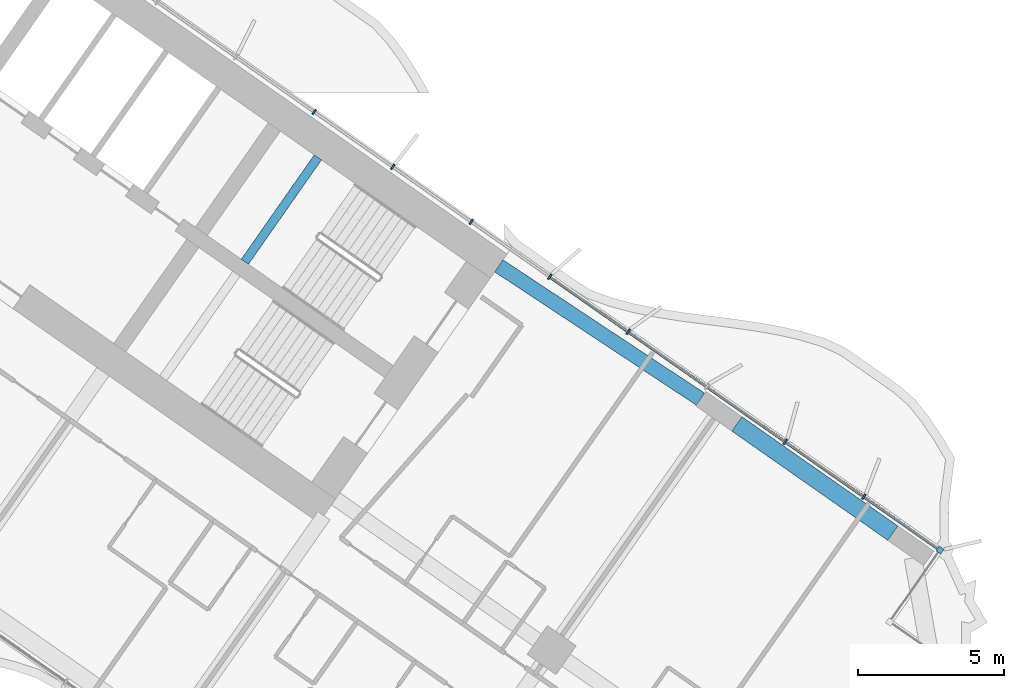
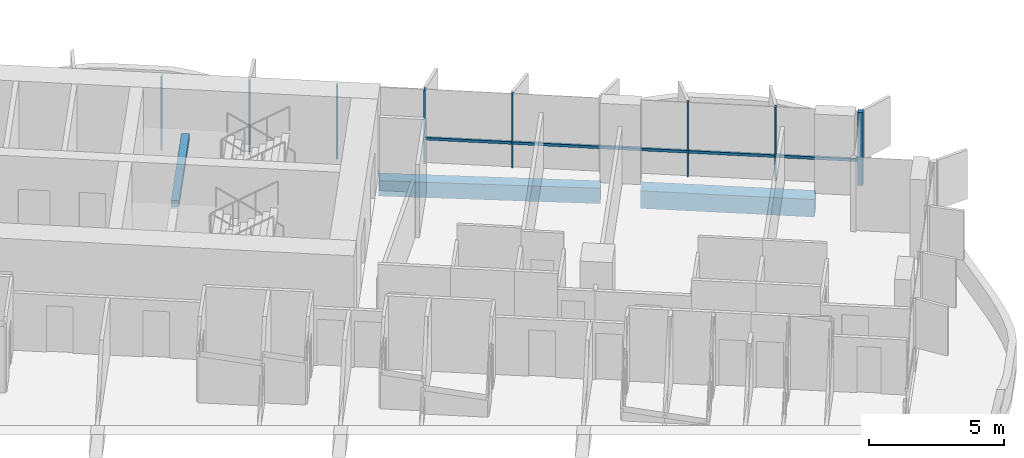
# One storey, part 10 of 25: 9 members, 3 beams, 2 elements without a shape of their own.
"""IFC4 building model written with IfcOpenShell, lengths in metres."""

import ifcopenshell
import ifcopenshell.guid

model = None  # the IFC model being written
_history = None  # IfcOwnerHistory: only IFC2X3 demands one
_inside = {}  # id of a spatial element -> (the spatial element, [elements in it])
_under = {}  # id of a project, library or spatial element -> (it, [spatial elements below it])
_declared = {}  # id of a project -> (the project, [libraries it declares])
_typed = {}  # id of a type object -> (the type object, [elements of that type])
_made_of = {}  # id of a material, layer set ... -> (it, [elements and type objects made of it])


def new_model(schema):
    """Start an empty IFC model of exactly this schema.

    Asked for "IFC4X3", IfcOpenShell would pick the latest addendum, in which some entities
    have other attributes; the version numbers below select the first issue.
    IFC2X3 requires an IfcOwnerHistory on every rooted entity: one is made here for all.
    """
    global model, _history
    if schema == "IFC4X3":
        model = ifcopenshell.file(schema_version=(4, 3, 0, 0))
    else:
        model = ifcopenshell.file(schema=schema)
    _inside.clear()
    _under.clear()
    _declared.clear()
    _typed.clear()
    _made_of.clear()
    _history = None
    if model.schema == "IFC2X3":
        org = make("IfcOrganization", Name="unknown")
        user = make(
            "IfcPersonAndOrganization",
            ThePerson=make("IfcPerson", FamilyName="unknown"),
            TheOrganization=org,
        )
        app = make(
            "IfcApplication",
            ApplicationDeveloper=org,
            Version="unknown",
            ApplicationFullName="unknown",
            ApplicationIdentifier="unknown",
        )
        _history = make(
            "IfcOwnerHistory",
            OwningUser=user,
            OwningApplication=app,
            ChangeAction="ADDED",
            CreationDate=0,
        )
    return model


def make(cls, **values):
    """One entity of the class cls with the attributes given. An attribute that is None is left unset."""
    return model.create_entity(
        cls, **{name: value for name, value in values.items() if value is not None}
    )


def rooted(cls, **values):
    """An entity with a GlobalId (a new one), such as an element, a storey or a relation."""
    return make(cls, GlobalId=ifcopenshell.guid.new(), OwnerHistory=_history, **values)


def si_unit(unit_type, name, prefix=None):
    """IfcSIUnit, for example si_unit("LENGTHUNIT", "METRE", prefix="MILLI")."""
    return make("IfcSIUnit", UnitType=unit_type, Prefix=prefix, Name=name)


def assignment(units):
    """IfcUnitAssignment: the units of a project."""
    return None if units is None else make("IfcUnitAssignment", Units=units)


def point(xyz):
    """IfcCartesianPoint."""
    return None if xyz is None else make("IfcCartesianPoint", Coordinates=xyz)


def direction(xyz):
    """IfcDirection."""
    return None if xyz is None else make("IfcDirection", DirectionRatios=xyz)


def frame(location, z_axis=None, x_axis=None):
    """IfcAxis2Placement3D, a coordinate frame: its origin and axes. An axis left out is left unset."""
    return make(
        "IfcAxis2Placement3D",
        Location=point(location),
        Axis=direction(z_axis),
        RefDirection=direction(x_axis),
    )


def frame_2d(location, x_axis=None):
    """IfcAxis2Placement2D, a coordinate frame in the plane: its origin and x axis."""
    return make(
        "IfcAxis2Placement2D", Location=point(location), RefDirection=direction(x_axis)
    )


def origin():
    """The frame at (0, 0, 0) with its axes left unset."""
    return frame((0.0, 0.0, 0.0))


def origin_2d():
    """The frame at (0, 0) in the plane with its x axis left unset."""
    return frame_2d((0.0, 0.0))


def place(relative_to, where):
    """IfcLocalPlacement: puts the frame where relative to a parent placement (None: the world)."""
    return make(
        "IfcLocalPlacement", PlacementRelTo=relative_to, RelativePlacement=where
    )


def context(
    kind, dimensions, precision=None, world=None, true_north=None, identifier=None
):
    """IfcGeometricRepresentationContext, for example the 3D "Model" context."""
    return make(
        "IfcGeometricRepresentationContext",
        ContextIdentifier=identifier,
        ContextType=kind,
        CoordinateSpaceDimension=dimensions,
        Precision=precision,
        WorldCoordinateSystem=world,
        TrueNorth=true_north,
    )


def subcontext(parent, identifier, kind, view, scale=None):
    """IfcGeometricRepresentationSubContext, for example "Body" below "Model"."""
    return make(
        "IfcGeometricRepresentationSubContext",
        ContextIdentifier=identifier,
        ContextType=kind,
        ParentContext=parent,
        TargetScale=scale,
        TargetView=view,
    )


def project(units=None, contexts=None):
    """IfcProject with its units and contexts."""
    return rooted(
        "IfcProject",
        Name="project",
        RepresentationContexts=contexts,
        UnitsInContext=assignment(units),
    )


def spatial(cls, under=None, at=None, **own):
    """A site, building, storey or space (cls), placed at a placement, below another one or the project."""
    s = rooted(cls, ObjectPlacement=at, **own)
    if under is not None:
        _under.setdefault(under.id(), (under, []))[1].append(s)
    return s


def profile(cls, at=None, kind="AREA", **sizes):
    """A parametric profile (cls). Its sizes go by their IFC names, for example OverallWidth=200.0."""
    return make(cls, ProfileType=kind, Position=at, **sizes)


def rectangle(**sizes):
    """IfcRectangleProfileDef."""
    return profile("IfcRectangleProfileDef", **sizes)


def extrude(swept, where, along, depth):
    """IfcExtrudedAreaSolid: the profile swept, set in the frame where, extruded along a direction by depth."""
    return make(
        "IfcExtrudedAreaSolid",
        SweptArea=swept,
        Position=where,
        ExtrudedDirection=direction(along),
        Depth=depth,
    )


def shape(context_of_items, identifier, shape_type, items):
    """IfcShapeRepresentation: the items that make up one representation, for example the "Body"."""
    return make(
        "IfcShapeRepresentation",
        ContextOfItems=context_of_items,
        RepresentationIdentifier=identifier,
        RepresentationType=shape_type,
        Items=items,
    )


def material(Name=None, Category=None):
    """IfcMaterial."""
    return make("IfcMaterial", Name=Name, Category=Category)


def material_profile(
    of_material, cross_section, Name=None, Category=None, Priority=None
):
    """IfcMaterialProfile: a cross section and its material."""
    return make(
        "IfcMaterialProfile",
        Name=Name,
        Material=of_material,
        Profile=cross_section,
        Priority=Priority,
        Category=Category,
    )


def profile_set(profiles, Name=None, composite=None):
    """IfcMaterialProfileSet."""
    return make(
        "IfcMaterialProfileSet",
        Name=Name,
        MaterialProfiles=profiles,
        CompositeProfile=composite,
    )


def made_of(thing, what):
    """Note that an element or type object is made of a material, layer set ...; save() writes the relation."""
    if what is not None:
        _made_of.setdefault(what.id(), (what, []))[1].append(thing)
    return thing


def type_object(cls, material=None, **own):
    """A type object (cls), such as IfcWallType, which elements share."""
    return made_of(rooted(cls, **own), material)


def element(
    cls,
    number,
    at=None,
    inside=None,
    cuts=None,
    type_object=None,
    material=None,
    context=None,
    identifier="Body",
    shape_type=None,
    held_by="IfcProductDefinitionShape",
    body=None,
    shapes=None,
    **own,
):
    """One element of the class cls, such as IfcWall. Its Tag is "e" and its number.

    at: its placement. inside: the storey or other place that contains it. cuts: it is an
    opening in that element (IfcRelVoidsElement). A single representation is given by context,
    identifier, shape_type and body (its items); several are given by shapes. held_by: the class
    of the entity that holds the representations. save() writes the other relations.
    """
    e = rooted(cls, Tag="e%d" % number, ObjectPlacement=at, **own)
    if body is not None:
        shapes = [shape(context, identifier, shape_type, body)]
    if shapes is not None:
        e.Representation = make(held_by, Representations=shapes)
    if inside is not None:
        _inside.setdefault(inside.id(), (inside, []))[1].append(e)
    if cuts is not None:
        rooted(
            "IfcRelVoidsElement", RelatingBuildingElement=cuts, RelatedOpeningElement=e
        )
    if type_object is not None:
        _typed.setdefault(type_object.id(), (type_object, []))[1].append(e)
    return made_of(e, material)


def aggregate(whole, parts):
    """IfcRelAggregates: a whole, such as a stair, and the parts it consists of."""
    return rooted("IfcRelAggregates", RelatingObject=whole, RelatedObjects=parts)


def save(model, path):
    """Write the relations noted so far, then the file.

    IfcRelAggregates (storeys below a building ...), IfcRelContainedInSpatialStructure (elements
    in a storey), IfcRelDefinesByType, IfcRelAssociatesMaterial and IfcRelDeclares: one each for
    every whole, place, type object, material and project.
    """
    for whole, parts in _under.values():
        aggregate(whole, parts)
    for where, things in _inside.values():
        rooted(
            "IfcRelContainedInSpatialStructure",
            RelatedElements=things,
            RelatingStructure=where,
        )
    for kind, things in _typed.values():
        rooted("IfcRelDefinesByType", RelatedObjects=things, RelatingType=kind)
    for what, things in _made_of.values():
        rooted("IfcRelAssociatesMaterial", RelatedObjects=things, RelatingMaterial=what)
    for by, libraries in _declared.values():
        rooted("IfcRelDeclares", RelatingContext=by, RelatedDefinitions=libraries)
    model.write(path)


model = new_model("IFC4")

# Units and contexts
model_context = context("Model", 3, precision=1e-05, world=origin(), true_north=direction((0.0, 1.0)))
body_context = subcontext(model_context, "Body", "Model", "MODEL_VIEW")
ifc_project = project(units=[si_unit("LENGTHUNIT", "METRE"), si_unit("AREAUNIT", "SQUARE_METRE"), si_unit("VOLUMEUNIT", "CUBIC_METRE"), si_unit("PLANEANGLEUNIT", "RADIAN"), si_unit("MASSUNIT", "GRAM", prefix="KILO")], contexts=[model_context])

# Site, building, storey
site_placement = place(None, origin())
site = spatial("IfcSite", under=ifc_project, at=site_placement, CompositionType="ELEMENT")
building_placement = place(site_placement, origin())
building = spatial("IfcBuilding", under=site, at=building_placement, Name="Tel Ilan Convention Tower", CompositionType="ELEMENT")
storey_placement = place(building_placement, frame((0.0, 0.0, 61.699951171875)))
storey = spatial("IfcBuildingStorey", under=building, at=storey_placement, Name="L10", CompositionType="ELEMENT", Elevation=61.699951171875)

# Beams
ifc_material_1 = material(Name="Concrete C40/50", Category="concrete")
ifc_material_profile_1 = material_profile(ifc_material_1, rectangle(XDim=0.5, YDim=0.699951171875, at=origin_2d()), Name="RC 500x700")
ifc_profile_set_1 = profile_set([ifc_material_profile_1], Name="Concrete C40/50")
beam_type_1 = type_object("IfcBeamType", Name="Beam RC 500x700 Concrete C40/50", PredefinedType="BEAM", material=ifc_profile_set_1)
beam_1_placement = place(storey_placement, frame((34.570556640625, -12.08447265625, -0.6298828125), z_axis=(-0.834273603487, 0.551350663847, 0.0), x_axis=(-0.551350663847, -0.834273603487, 0.0)))
element("IfcBeam", 1, at=beam_1_placement, inside=storey, type_object=beam_type_1, Name="L10 beam E-E-B4-core", PredefinedType="BEAM", context=body_context, shape_type="SweptSolid", body=[
    extrude(rectangle(XDim=0.5, YDim=0.699951171875, at=origin_2d()), origin(), (0.0, 0.0, 1.0), 8.2529296875),
])
ifc_material_2 = material(Name="Concrete C40/50", Category="concrete")
ifc_material_profile_2 = material_profile(ifc_material_2, rectangle(XDim=0.60009765625, YDim=0.800048828125, at=origin_2d()), Name="RC 600x800")
ifc_profile_set_2 = profile_set([ifc_material_profile_2], Name="Concrete C40/50")
beam_type_2 = type_object("IfcBeamType", Name="Beam RC 600x800 Concrete C40/50", PredefinedType="BEAM", material=ifc_profile_set_2)
beam_2_placement = place(storey_placement, frame((41.135498046875, -16.656494140625, -0.679931640625), z_axis=(-0.819178980414, 0.573537965655, 0.0), x_axis=(-0.573537965655, -0.819178980414, 0.0)))
element("IfcBeam", 2, at=beam_2_placement, inside=storey, type_object=beam_type_2, Name="L10 beam E-E-BC-E-B4", PredefinedType="BEAM", context=body_context, shape_type="SweptSolid", body=[
    extrude(rectangle(XDim=0.60009765625, YDim=0.800048828125, at=origin_2d()), origin(), (0.0, 0.0, 1.0), 6.5),
])

# Curtain wall, member
ifc_material_3 = material(Name="Aluminium, bronze anodised", Category="aluminium")
curtain_wall_type_1 = type_object("IfcCurtainWallType", Name="CW1 UNITISED CURTAIN WALL, HOTEL TINTED GLASS", PredefinedType="NOTDEFINED", material=ifc_material_3)
curtain_wall_1_placement = place(storey_placement, origin())
curtain_wall_1 = element("IfcCurtainWall", 3, at=curtain_wall_1_placement, inside=storey, type_object=curtain_wall_type_1, Name="Curtain wall CW1-11.02", PredefinedType="NOTDEFINED")
ifc_material_4 = material(Name="Aluminium, bronze anodised", Category="aluminium")
ifc_material_profile_3 = material_profile(ifc_material_4, rectangle(XDim=0.199951171875, YDim=0.199951171875, at=origin_2d()), Name="CW CORNER MULLION 200x200")
ifc_profile_set_3 = profile_set([ifc_material_profile_3], Name="Aluminium, bronze anodised")
member_type_1 = type_object("IfcMemberType", Name="CW CORNER MULLION 200x200", PredefinedType="MULLION", material=ifc_profile_set_3)
member_1_placement = place(storey_placement, frame((42.7451171875, -17.234375, 0.0), z_axis=(0.0, 0.0, 1.0), x_axis=(0.573576436351, 0.819152044289, 0.0)))
member_1 = element("IfcMember", 4, at=member_1_placement, type_object=member_type_1, Name="Corner mullion", PredefinedType="MULLION", context=body_context, shape_type="SweptSolid", body=[
    extrude(rectangle(XDim=0.199951171875, YDim=0.199951171875, at=origin_2d()), origin(), (0.0, 0.0, 1.0), 3.320068359375),
])

# Curtain wall, members
ifc_material_5 = material(Name="Aluminium, bronze anodised", Category="aluminium")
curtain_wall_type_2 = type_object("IfcCurtainWallType", Name="CW2 STICK CURTAIN WALL, SPANDREL PANELS", PredefinedType="NOTDEFINED", material=ifc_material_5)
curtain_wall_2_placement = place(storey_placement, origin())
curtain_wall_2 = element("IfcCurtainWall", 5, at=curtain_wall_2_placement, inside=storey, type_object=curtain_wall_type_2, Name="Curtain wall CW2-11.01", PredefinedType="NOTDEFINED")
ifc_material_6 = material(Name="Aluminium, bronze anodised", Category="aluminium")
ifc_material_profile_4 = material_profile(ifc_material_6, rectangle(XDim=0.06005859375, YDim=0.199951171875, at=origin_2d()), Name="CW MULLION 60x200")
ifc_profile_set_4 = profile_set([ifc_material_profile_4], Name="Aluminium, bronze anodised")
member_type_2 = type_object("IfcMemberType", Name="CW MULLION 60x200", PredefinedType="MULLION", material=ifc_profile_set_4)
member_2_placement = place(storey_placement, frame((29.42578125, -7.907958984375, 0.0), z_axis=(0.0, 0.0, 1.0), x_axis=(-0.819152044289, 0.573576436351, 0.0)))
member_2 = element("IfcMember", 6, at=member_2_placement, type_object=member_type_2, Name="Mullion", PredefinedType="MULLION", context=body_context, shape_type="SweptSolid", body=[
    extrude(rectangle(XDim=0.06005859375, YDim=0.199951171875, at=origin_2d()), origin(), (0.0, 0.0, 1.0), 3.320068359375),
])
member_3_placement = place(storey_placement, frame((26.745361328125, -6.03125, 0.0), z_axis=(0.0, 0.0, 1.0), x_axis=(-0.819152044289, 0.573576436351, 0.0)))
member_3 = element("IfcMember", 7, at=member_3_placement, type_object=member_type_2, Name="Mullion", PredefinedType="MULLION", context=body_context, shape_type="SweptSolid", body=[
    extrude(rectangle(XDim=0.06005859375, YDim=0.199951171875, at=origin_2d()), origin(), (0.0, 0.0, 1.0), 3.320068359375),
])
member_4_placement = place(storey_placement, frame((24.065185546875, -4.154541015625, 0.0), z_axis=(0.0, 0.0, 1.0), x_axis=(-0.819152044289, 0.573576436351, 0.0)))
member_4 = element("IfcMember", 8, at=member_4_placement, type_object=member_type_2, Name="Mullion", PredefinedType="MULLION", context=body_context, shape_type="SweptSolid", body=[
    extrude(rectangle(XDim=0.06005859375, YDim=0.199951171875, at=origin_2d()), origin(), (0.0, 0.0, 1.0), 3.320068359375),
])
member_5_placement = place(storey_placement, frame((21.384765625, -2.27783203125, 0.0), z_axis=(0.0, 0.0, 1.0), x_axis=(-0.819152044289, 0.573576436351, 0.0)))
member_5 = element("IfcMember", 9, at=member_5_placement, type_object=member_type_2, Name="Mullion", PredefinedType="MULLION", context=body_context, shape_type="SweptSolid", body=[
    extrude(rectangle(XDim=0.06005859375, YDim=0.199951171875, at=origin_2d()), origin(), (0.0, 0.0, 1.0), 3.320068359375),
])
aggregate(curtain_wall_2, [member_2, member_3, member_4, member_5])

# Member
member_6_placement = place(storey_placement, frame((40.146728515625, -15.4150390625, 0.0), z_axis=(0.0, 0.0, 1.0), x_axis=(-0.819152044289, 0.573576436351, 0.0)))
member_6 = element("IfcMember", 10, at=member_6_placement, type_object=member_type_2, Name="Mullion", PredefinedType="MULLION", context=body_context, shape_type="SweptSolid", body=[
    extrude(rectangle(XDim=0.06005859375, YDim=0.199951171875, at=origin_2d()), origin(), (0.0, 0.0, 1.0), 3.320068359375),
])

member_7_placement = place(storey_placement, frame((37.466552734375, -13.538330078125, 0.0), z_axis=(0.0, 0.0, 1.0), x_axis=(-0.819152044289, 0.573576436351, 0.0)))
member_7 = element("IfcMember", 11, at=member_7_placement, type_object=member_type_2, Name="Mullion", PredefinedType="MULLION", context=body_context, shape_type="SweptSolid", body=[
    extrude(rectangle(XDim=0.06005859375, YDim=0.199951171875, at=origin_2d()), origin(), (0.0, 0.0, 1.0), 3.320068359375),
])

member_8_placement = place(storey_placement, frame((32.10595703125, -9.78466796875, 0.0), z_axis=(0.0, 0.0, 1.0), x_axis=(-0.819152044289, 0.573576436351, 0.0)))
member_8 = element("IfcMember", 12, at=member_8_placement, type_object=member_type_2, Name="Mullion", PredefinedType="MULLION", context=body_context, shape_type="SweptSolid", body=[
    extrude(rectangle(XDim=0.06005859375, YDim=0.199951171875, at=origin_2d()), origin(), (0.0, 0.0, 1.0), 3.320068359375),
])

ifc_material_7 = material(Name="Aluminium, bronze anodised", Category="aluminium")
ifc_material_profile_5 = material_profile(ifc_material_7, rectangle(XDim=0.10009765625, YDim=0.1201171875, at=origin_2d()), Name="CW TRANSOM 100x120")
ifc_profile_set_5 = profile_set([ifc_material_profile_5], Name="Aluminium, bronze anodised")
member_type_3 = type_object("IfcMemberType", Name="CW TRANSOM 100x120", PredefinedType="USERDEFINED", material=ifc_profile_set_5)
member_9_placement = place(storey_placement, frame((42.6630859375, -17.177001953125, 1.10009765625), z_axis=(-0.819153693934, 0.573574080407, 0.0), x_axis=(-0.573574080407, -0.819153693934, 0.0)))
member_9 = element("IfcMember", 13, at=member_9_placement, type_object=member_type_3, Name="Transom", ObjectType="TRANSOM", PredefinedType="USERDEFINED", context=body_context, shape_type="SweptSolid", body=[
    extrude(rectangle(XDim=0.10009765625, YDim=0.1201171875, at=origin_2d()), origin(), (0.0, 0.0, 1.0), 16.1298828125),
])

aggregate(curtain_wall_1, [member_1, member_6, member_7, member_8, member_9])

# Beam
ifc_material_8 = material(Name="Concrete C40/50", Category="concrete")
ifc_material_profile_6 = material_profile(ifc_material_8, rectangle(XDim=0.300048828125, YDim=0.300048828125, at=origin_2d()), Name="RC 300x300")
ifc_profile_set_6 = profile_set([ifc_material_profile_6], Name="Concrete C40/50")
beam_type_3 = type_object("IfcBeamType", Name="Landing Beam RC 300x300 Concrete C40/50", PredefinedType="BEAM", material=ifc_profile_set_6)
beam_3_placement = place(storey_placement, frame((21.5087890625, -3.829345703125, 1.449951171875), z_axis=(-0.57356780395, -0.819158088694, 0.0), x_axis=(0.819158088694, -0.57356780395, 0.0)))
element("IfcBeam", 14, at=beam_3_placement, inside=storey, type_object=beam_type_3, Name="S3 landing beam L10.1", PredefinedType="BEAM", context=body_context, shape_type="SweptSolid", body=[
    extrude(rectangle(XDim=0.300048828125, YDim=0.300048828125, at=origin_2d()), origin(), (0.0, 0.0, 1.0), 4.35009765625),
])

save(model, "model.ifc")
